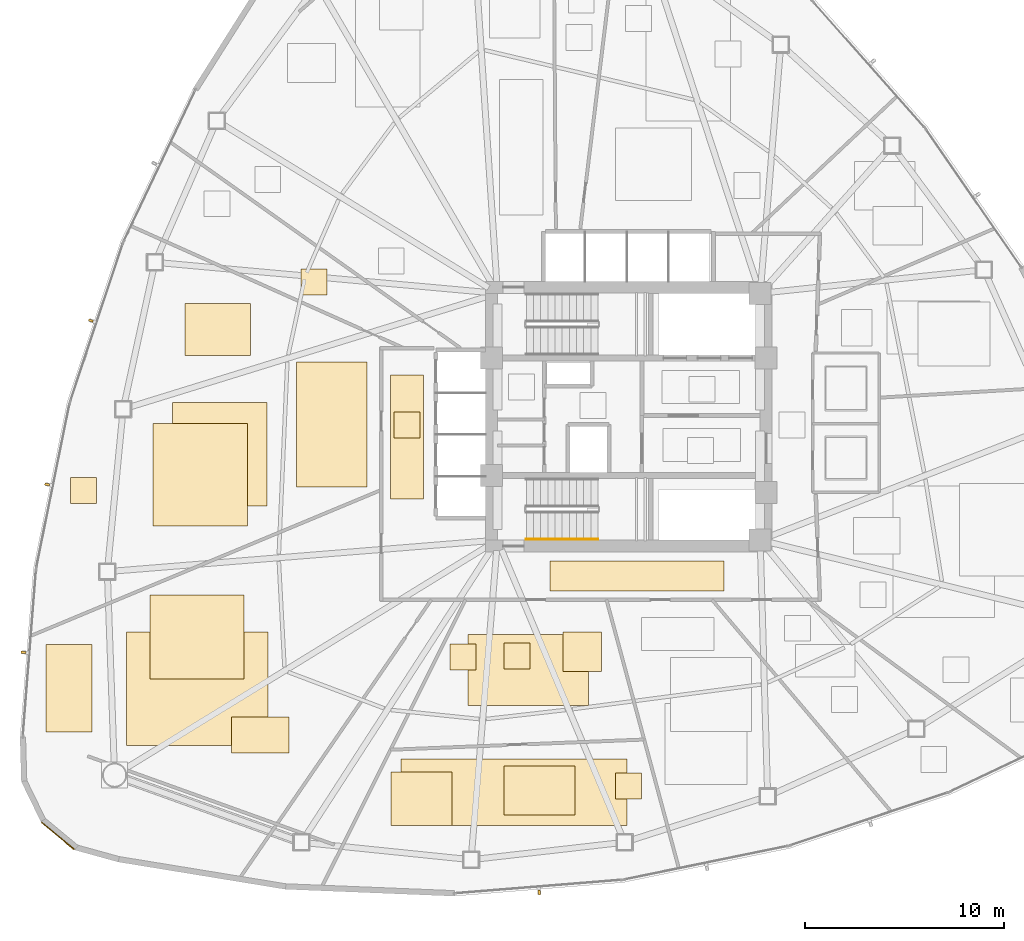
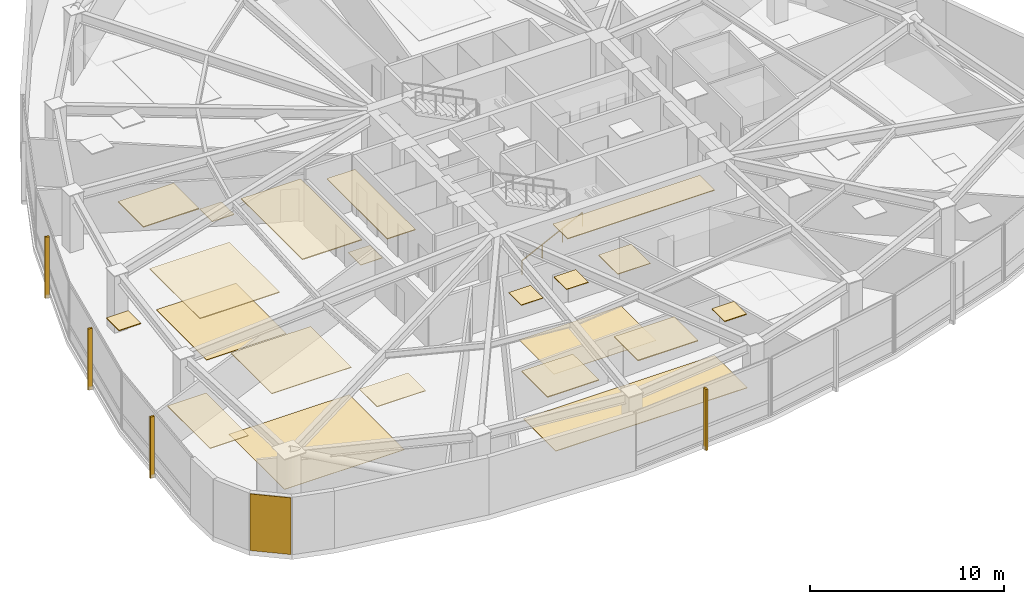
# One storey, part 15 of 18: 22 coverings, 4 shading devices, 1 railing.
"""IFC4 building model written with IfcOpenShell, lengths in metres."""

from ifc_helpers import new_model, si_unit, direction, frame, origin, origin_2d, place, context, subcontext, project, spatial, polyline, rectangle, outline, extrude, source, transform, mapped, material, layer, layer_set, type_object, type_shapes, element, save


model = new_model("IFC4")

# Units and contexts
model_context = context("Model", 3, precision=1e-05, world=origin(), true_north=direction((0.0, 1.0)))
body_context = subcontext(model_context, "Body", "Model", "MODEL_VIEW")
ifc_project = project(units=[si_unit("LENGTHUNIT", "METRE"), si_unit("AREAUNIT", "SQUARE_METRE"), si_unit("VOLUMEUNIT", "CUBIC_METRE"), si_unit("PLANEANGLEUNIT", "RADIAN"), si_unit("MASSUNIT", "GRAM", prefix="KILO")], contexts=[model_context])

# Site, building, storey
site_placement = place(None, origin())
site = spatial("IfcSite", under=ifc_project, at=site_placement, CompositionType="ELEMENT")
building_placement = place(site_placement, origin())
building = spatial("IfcBuilding", under=site, at=building_placement, Name="Tavelor Broadcast Tower", CompositionType="ELEMENT")
storey_placement = place(building_placement, frame((0.0, 0.0, 58.800048828125)))
storey = spatial("IfcBuildingStorey", under=building, at=storey_placement, Name="L13", CompositionType="ELEMENT", Elevation=58.800048828125)

# Coverings
ifc_material_1 = material(Name="Copper-Bronze Anodized Aluminium", Category="aluminium")
ifc_layer_1 = layer(ifc_material_1, 0.044921875)
ifc_layer_set_1 = layer_set([ifc_layer_1], Name="Copper-Bronze Anodized Aluminium")
covering_type_1 = type_object("IfcCoveringType", Name="Anodised Bronze Linear Slatted Concourse Ceiling 45 mm", PredefinedType="CEILING", material=ifc_layer_set_1)
covering_1_placement = place(storey_placement, frame((0.0, 0.0, 3.554931640625)))
element("IfcCovering", 1, at=covering_1_placement, inside=storey, type_object=covering_type_1, Name="L13 Suspended Acoustic Ceiling 0495", PredefinedType="CEILING", context=body_context, shape_type="SweptSolid", body=[
    extrude(outline(polyline([(46.05078125, 36.23828125), (54.776611328125, 36.23828125), (54.776611328125, 37.76171875), (46.05078125, 37.76171875), (46.05078125, 36.23828125)])), origin(), (0.0, 0.0, 1.0), 0.044921875),
])
covering_2_placement = place(storey_placement, frame((0.0, 0.0, 3.554931640625)))
element("IfcCovering", 2, at=covering_2_placement, inside=storey, type_object=covering_type_1, Name="L13 Suspended Acoustic Ceiling 0496", PredefinedType="CEILING", context=body_context, shape_type="SweptSolid", body=[
    extrude(outline(polyline([(38.01611328125, 40.868896484375), (39.683837890625, 40.868896484375), (39.683837890625, 47.096923828125), (38.01611328125, 47.096923828125), (38.01611328125, 40.868896484375)])), origin(), (0.0, 0.0, 1.0), 0.044921875),
])
ifc_layer_2 = layer(ifc_material_1, 0.050048828125)
ifc_layer_set_2 = layer_set([ifc_layer_2], Name="Copper-Bronze Anodized Aluminium")
covering_type_2 = type_object("IfcCoveringType", Name="Champagne-Bronze Corner Pier Metal Cladding 50 mm", PredefinedType="CLADDING", material=ifc_layer_set_2)
covering_3_placement = place(storey_placement, frame((21.310791015625, 23.937744140625, 0.02001953125), z_axis=(0.0, 0.0, 1.0), x_axis=(0.768841832073, -0.639439001981, 0.0)))
element("IfcCovering", 3, at=covering_3_placement, inside=storey, type_object=covering_type_2, Name="L13 Champagne-Bronze Corner Cladding 13", PredefinedType="CLADDING", context=body_context, shape_type="SweptSolid", body=[
    extrude(rectangle(XDim=2.137451171875, YDim=0.050048828125, at=origin_2d()), origin(), (0.0, 0.0, 1.0), 3.56005859375),
])

# Railing
ifc_material_2 = material(Name="Steel S355", Category="steel")
railing_type = type_object("IfcRailingType", Name="Continuous Brushed Stainless Handrail 900 mm", PredefinedType="HANDRAIL", material=ifc_material_2)
railing_placement = place(storey_placement, frame((44.85009765625, 38.85009765625, 0.17724609375)))
element("IfcRailing", 4, at=railing_placement, inside=storey, type_object=railing_type, Name="L13 ST2 stair handrail 1", PredefinedType="HANDRAIL", context=body_context, shape_type="SweptSolid", body=[
    extrude(rectangle(XDim=0.048095703125, YDim=0.048095703125, at=origin_2d()), frame((0.0, 0.0, 0.8759765625), z_axis=(0.897124305991, 0.0, 0.441778201817), x_axis=(0.0, 1.0, 0.0)), (0.0, 0.0, 1.0), 4.0126953125),
    extrude(rectangle(XDim=0.0419921875, YDim=0.0419921875, at=origin_2d()), origin(), (0.0, 0.0, 1.0), 0.851806640625),
    extrude(rectangle(XDim=0.0419921875, YDim=0.0419921875, at=origin_2d()), frame((1.199951171875, 0.0, 0.5908203125)), (0.0, 0.0, 1.0), 0.851806640625),
    extrude(rectangle(XDim=0.0419921875, YDim=0.0419921875, at=origin_2d()), frame((2.39990234375, 0.0, 1.181884765625)), (0.0, 0.0, 1.0), 0.851806640625),
    extrude(rectangle(XDim=0.0419921875, YDim=0.0419921875, at=origin_2d()), frame((3.599853515625, 0.0, 1.772705078125)), (0.0, 0.0, 1.0), 0.851806640625),
])

# Coverings
ifc_material_3 = material(Name="Acoustic Nylon Carpet Tile")
ifc_layer_3 = layer(ifc_material_3, 0.02001953125)
ifc_layer_set_3 = layer_set([ifc_layer_3], Name="Acoustic Nylon Carpet Tile")
covering_type_3 = type_object("IfcCoveringType", Name="Heavy-Duty Acoustic Broadcast Carpet Tile 20 mm", PredefinedType="FLOORING", material=ifc_layer_set_3)
covering_4_placement = place(storey_placement, origin())
element("IfcCovering", 5, at=covering_4_placement, inside=storey, type_object=covering_type_3, Name="L13 Broadcast Floor Finish 0178", PredefinedType="FLOORING", context=body_context, shape_type="SweptSolid", body=[
    extrude(outline(polyline([(24.75048828125, 28.469482421875), (31.877197265625, 28.469482421875), (31.877197265625, 34.177001953125), (24.75048828125, 34.177001953125), (24.75048828125, 28.469482421875)])), origin(), (0.0, 0.0, 1.0), 0.02001953125),
])
covering_5_placement = place(storey_placement, origin())
element("IfcCovering", 6, at=covering_5_placement, inside=storey, type_object=covering_type_3, Name="L13 Broadcast Floor Finish 0189", PredefinedType="FLOORING", context=body_context, shape_type="SweptSolid", body=[
    extrude(outline(polyline([(41.907958984375, 30.486083984375), (47.976318359375, 30.486083984375), (47.976318359375, 34.06640625), (41.907958984375, 34.06640625), (41.907958984375, 30.486083984375)])), origin(), (0.0, 0.0, 1.0), 0.02001953125),
])
ifc_material_4 = material(Name="Honed Natural Limestone Tile", Category="masonry")
ifc_layer_4 = layer(ifc_material_4, 0.030029296875)
ifc_layer_set_4 = layer_set([ifc_layer_4], Name="Honed Natural Limestone Tile")
covering_type_4 = type_object("IfcCoveringType", Name="Honed Jerusalem Limestone Concourse Flooring 30 mm", PredefinedType="FLOORING", material=ifc_layer_set_4)
covering_6_placement = place(storey_placement, origin())
element("IfcCovering", 7, at=covering_6_placement, inside=storey, type_object=covering_type_4, Name="L13 Broadcast Floor Finish 0174", PredefinedType="FLOORING", context=body_context, shape_type="SweptSolid", body=[
    extrude(outline(polyline([(38.199951171875, 43.925048828125), (39.5, 43.925048828125), (39.5, 45.22509765625), (38.199951171875, 45.22509765625), (38.199951171875, 43.925048828125)])), origin(), (0.0, 0.0, 1.0), 0.030029296875),
])
ifc_material_5 = material(Name="Acoustic Hardwood Studio Flooring", Category="wood")
ifc_layer_5 = layer(ifc_material_5, 0.034912109375)
ifc_layer_set_5 = layer_set([ifc_layer_5], Name="Acoustic Hardwood Studio Flooring")
covering_type_5 = type_object("IfcCoveringType", Name="Isolated Studio Acoustic Elastomeric Floor Finish 35 mm", PredefinedType="FLOORING", material=ifc_layer_set_5)
covering_7_placement = place(storey_placement, origin())
element("IfcCovering", 8, at=covering_7_placement, inside=storey, type_object=covering_type_5, Name="L13 Broadcast Floor Finish 0177", PredefinedType="FLOORING", context=body_context, shape_type="SweptSolid", body=[
    extrude(outline(polyline([(38.5458984375, 24.454833984375), (49.917236328125, 24.454833984375), (49.917236328125, 27.80126953125), (38.5458984375, 27.80126953125), (38.5458984375, 24.454833984375)])), origin(), (0.0, 0.0, 1.0), 0.034912109375),
])
covering_8_placement = place(storey_placement, origin())
element("IfcCovering", 9, at=covering_8_placement, inside=storey, type_object=covering_type_5, Name="L13 Broadcast Floor Finish 0179", PredefinedType="FLOORING", context=body_context, shape_type="SweptSolid", body=[
    extrude(outline(polyline([(27.08251953125, 40.51708984375), (31.81103515625, 40.51708984375), (31.81103515625, 45.704345703125), (27.08251953125, 45.704345703125), (27.08251953125, 40.51708984375)])), origin(), (0.0, 0.0, 1.0), 0.034912109375),
])
covering_9_placement = place(storey_placement, origin())
element("IfcCovering", 10, at=covering_9_placement, inside=storey, type_object=covering_type_5, Name="L13 Broadcast Floor Finish 0180", PredefinedType="FLOORING", context=body_context, shape_type="SweptSolid", body=[
    extrude(outline(polyline([(33.537109375, 51.114990234375), (34.8369140625, 51.114990234375), (34.8369140625, 52.4150390625), (33.537109375, 52.4150390625), (33.537109375, 51.114990234375)])), origin(), (0.0, 0.0, 1.0), 0.034912109375),
])
ifc_material_6 = material(Name="Acoustic Perforated Timber Baffle", Category="wood")
ifc_layer_6 = layer(ifc_material_6, 0.054931640625)
ifc_layer_set_6 = layer_set([ifc_layer_6], Name="Acoustic Perforated Timber Baffle")
covering_type_6 = type_object("IfcCoveringType", Name="Micro-Perforated Acoustic Baffle Studio Ceiling 55 mm", PredefinedType="CEILING", material=ifc_layer_set_6)
covering_10_placement = place(storey_placement, frame((0.0, 0.0, 3.544921875)))
element("IfcCovering", 11, at=covering_10_placement, inside=storey, type_object=covering_type_6, Name="L13 Suspended Acoustic Ceiling 0499", PredefinedType="CEILING", context=body_context, shape_type="SweptSolid", body=[
    extrude(outline(polyline([(38.059814453125, 24.46728515625), (41.11376953125, 24.46728515625), (41.11376953125, 27.14794921875), (38.059814453125, 27.14794921875), (38.059814453125, 24.46728515625)])), origin(), (0.0, 0.0, 1.0), 0.054931640625),
])
covering_11_placement = place(storey_placement, frame((0.0, 0.0, 3.544921875)))
element("IfcCovering", 12, at=covering_11_placement, inside=storey, type_object=covering_type_6, Name="L13 Suspended Acoustic Ceiling 0500", PredefinedType="CEILING", context=body_context, shape_type="SweptSolid", body=[
    extrude(outline(polyline([(43.7353515625, 24.9765625), (47.3037109375, 24.9765625), (47.3037109375, 27.442626953125), (43.7353515625, 27.442626953125), (43.7353515625, 24.9765625)])), origin(), (0.0, 0.0, 1.0), 0.054931640625),
])
covering_12_placement = place(storey_placement, frame((0.0, 0.0, 3.544921875)))
element("IfcCovering", 13, at=covering_12_placement, inside=storey, type_object=covering_type_6, Name="L13 Suspended Acoustic Ceiling 0501", PredefinedType="CEILING", context=body_context, shape_type="SweptSolid", body=[
    extrude(outline(polyline([(49.341064453125, 25.789306640625), (50.64111328125, 25.789306640625), (50.64111328125, 27.089111328125), (49.341064453125, 27.089111328125), (49.341064453125, 25.789306640625)])), origin(), (0.0, 0.0, 1.0), 0.054931640625),
])
covering_13_placement = place(storey_placement, frame((0.0, 0.0, 3.544921875)))
element("IfcCovering", 14, at=covering_13_placement, inside=storey, type_object=covering_type_6, Name="L13 Suspended Acoustic Ceiling 0505", PredefinedType="CEILING", context=body_context, shape_type="SweptSolid", body=[
    extrude(outline(polyline([(21.951171875, 40.648681640625), (23.251220703125, 40.648681640625), (23.251220703125, 41.94873046875), (21.951171875, 41.94873046875), (21.951171875, 40.648681640625)])), origin(), (0.0, 0.0, 1.0), 0.054931640625),
])
covering_14_placement = place(storey_placement, frame((0.0, 0.0, 3.544921875)))
element("IfcCovering", 15, at=covering_14_placement, inside=storey, type_object=covering_type_6, Name="L13 Suspended Acoustic Ceiling 0506", PredefinedType="CEILING", context=body_context, shape_type="SweptSolid", body=[
    extrude(outline(polyline([(27.68701171875, 48.0703125), (30.99267578125, 48.0703125), (30.99267578125, 50.6865234375), (27.68701171875, 50.6865234375), (27.68701171875, 48.0703125)])), origin(), (0.0, 0.0, 1.0), 0.054931640625),
])
covering_15_placement = place(storey_placement, frame((0.0, 0.0, 3.544921875)))
element("IfcCovering", 16, at=covering_15_placement, inside=storey, type_object=covering_type_6, Name="L13 Suspended Acoustic Ceiling 0507", PredefinedType="CEILING", context=body_context, shape_type="SweptSolid", body=[
    extrude(outline(polyline([(33.31201171875, 41.46337890625), (36.8427734375, 41.46337890625), (36.8427734375, 47.754638671875), (33.31201171875, 47.754638671875), (33.31201171875, 41.46337890625)])), origin(), (0.0, 0.0, 1.0), 0.054931640625),
])
covering_16_placement = place(storey_placement, frame((0.0, 0.0, 3.544921875)))
element("IfcCovering", 17, at=covering_16_placement, inside=storey, type_object=covering_type_6, Name="L13 Suspended Acoustic Ceiling 0508", PredefinedType="CEILING", context=body_context, shape_type="SweptSolid", body=[
    extrude(outline(polyline([(26.092041015625, 39.504638671875), (30.827392578125, 39.504638671875), (30.827392578125, 44.6689453125), (26.092041015625, 44.6689453125), (26.092041015625, 39.504638671875)])), origin(), (0.0, 0.0, 1.0), 0.054931640625),
])
ifc_material_7 = material(Name="Acoustic Mineral Fibre Tile")
ifc_layer_7 = layer(ifc_material_7, 0.0400390625)
ifc_layer_set_7 = layer_set([ifc_layer_7], Name="Acoustic Mineral Fibre Tile")
covering_type_7 = type_object("IfcCoveringType", Name="Suspended Acoustic Mineral-Fibre Office Ceiling 40 mm", PredefinedType="CEILING", material=ifc_layer_set_7)
covering_17_placement = place(storey_placement, frame((0.0, 0.0, 3.56005859375)))
element("IfcCovering", 18, at=covering_17_placement, inside=storey, type_object=covering_type_7, Name="L13 Suspended Acoustic Ceiling 0502", PredefinedType="CEILING", context=body_context, shape_type="SweptSolid", body=[
    extrude(outline(polyline([(20.72021484375, 29.155517578125), (23.017578125, 29.155517578125), (23.017578125, 33.548095703125), (20.72021484375, 33.548095703125), (20.72021484375, 29.155517578125)])), origin(), (0.0, 0.0, 1.0), 0.039794921875),
])
covering_18_placement = place(storey_placement, frame((0.0, 0.0, 3.56005859375)))
element("IfcCovering", 19, at=covering_18_placement, inside=storey, type_object=covering_type_7, Name="L13 Suspended Acoustic Ceiling 0503", PredefinedType="CEILING", context=body_context, shape_type="SweptSolid", body=[
    extrude(outline(polyline([(25.927490234375, 31.820556640625), (30.66064453125, 31.820556640625), (30.66064453125, 36.034423828125), (25.927490234375, 36.034423828125), (25.927490234375, 31.820556640625)])), origin(), (0.0, 0.0, 1.0), 0.039794921875),
])
covering_19_placement = place(storey_placement, frame((0.0, 0.0, 3.56005859375)))
element("IfcCovering", 20, at=covering_19_placement, inside=storey, type_object=covering_type_7, Name="L13 Suspended Acoustic Ceiling 0504", PredefinedType="CEILING", context=body_context, shape_type="SweptSolid", body=[
    extrude(outline(polyline([(30.031982421875, 28.092529296875), (32.919921875, 28.092529296875), (32.919921875, 29.917724609375), (30.031982421875, 29.917724609375), (30.031982421875, 28.092529296875)])), origin(), (0.0, 0.0, 1.0), 0.039794921875),
])
covering_20_placement = place(storey_placement, frame((0.0, 0.0, 3.56005859375)))
element("IfcCovering", 21, at=covering_20_placement, inside=storey, type_object=covering_type_7, Name="L13 Suspended Acoustic Ceiling 0537", PredefinedType="CEILING", context=body_context, shape_type="SweptSolid", body=[
    extrude(outline(polyline([(41.010498046875, 32.26953125), (42.310546875, 32.26953125), (42.310546875, 33.569580078125), (41.010498046875, 33.569580078125), (41.010498046875, 32.26953125)])), origin(), (0.0, 0.0, 1.0), 0.039794921875),
])
covering_21_placement = place(storey_placement, frame((0.0, 0.0, 3.56005859375)))
element("IfcCovering", 22, at=covering_21_placement, inside=storey, type_object=covering_type_7, Name="L13 Suspended Acoustic Ceiling 0538", PredefinedType="CEILING", context=body_context, shape_type="SweptSolid", body=[
    extrude(outline(polyline([(43.7255859375, 32.3271484375), (45.025634765625, 32.3271484375), (45.025634765625, 33.627197265625), (43.7255859375, 33.627197265625), (43.7255859375, 32.3271484375)])), origin(), (0.0, 0.0, 1.0), 0.039794921875),
])
covering_22_placement = place(storey_placement, frame((0.0, 0.0, 3.56005859375)))
element("IfcCovering", 23, at=covering_22_placement, inside=storey, type_object=covering_type_7, Name="L13 Suspended Acoustic Ceiling 0539", PredefinedType="CEILING", context=body_context, shape_type="SweptSolid", body=[
    extrude(outline(polyline([(46.691650390625, 32.1962890625), (48.632568359375, 32.1962890625), (48.632568359375, 34.181884765625), (46.691650390625, 34.181884765625), (46.691650390625, 32.1962890625)])), origin(), (0.0, 0.0, 1.0), 0.039794921875),
])

# Shading devices
ifc_material_8 = material(Name="Kiln-Fired Glazed Terracotta", Category="masonry")
shading_device_type = type_object("IfcShadingDeviceType", Name="Extruded Terracotta Baguette Sun-Screen 110x240", PredefinedType="JALOUSIE", material=ifc_material_8)
shared_shape = source(origin(), body_context, "Body", "SweptSolid", [
    extrude(rectangle(XDim=0.110107421875, YDim=0.239990234375, at=origin_2d()), origin(), (0.0, 0.0, 1.0), 3.840087890625),
])
type_shapes(shading_device_type, [shared_shape])
for number, where, z_axis, x_axis, name in (
    (24, (22.96728515625, 49.82861328125, -0.26025390625), (0.0, 0.0, 1.0), (-0.315980237922, -0.948765771538, 0.0), "L13 Terracotta Baguette Fin 110"),
    (25, (20.769287109375, 41.5966796875, -0.26025390625), (0.0, 0.0, 1.0), (-0.198854819736, -0.980028959096, 0.0), "L13 Terracotta Baguette Fin 111"),
    (26, (19.58349609375, 33.1591796875, -0.26025390625), (0.0, 0.0, 1.0), (-0.078807080738, -0.996889885607, 0.0), "L13 Terracotta Baguette Fin 112"),
    (27, (45.49951171875, 21.091796875, -0.26025390625), (0.0, 0.0, 1.0), (0.996750823024, 0.080546860903, 0.0), "L13 Terracotta Baguette Fin 113"),
):
    element("IfcShadingDevice", number, at=place(storey_placement, frame(where, z_axis=z_axis, x_axis=x_axis)), inside=storey, type_object=shading_device_type, Name=name, PredefinedType="JALOUSIE", context=body_context, shape_type="MappedRepresentation", body=[
        mapped(shared_shape, transform((0.0, 0.0, 0.0), scale=1.0)),
    ])

save(model, "model.ifc")
